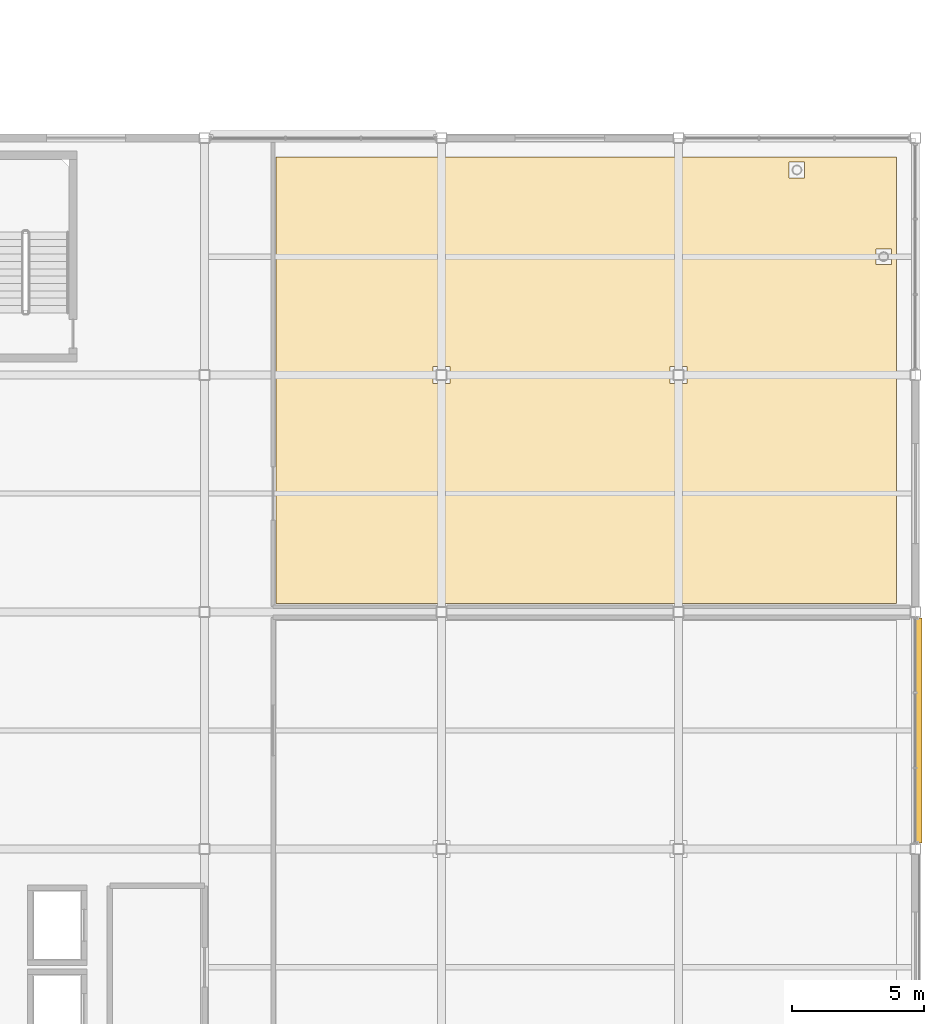
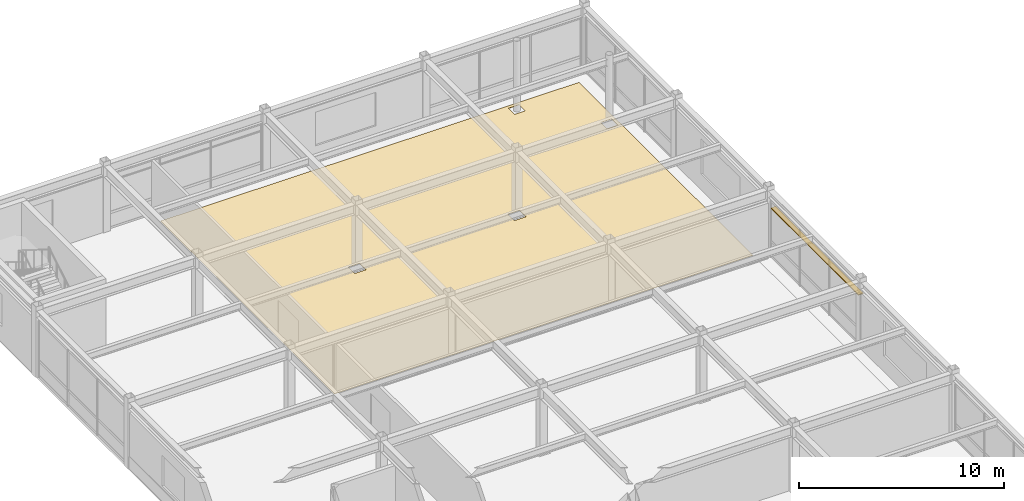
# One storey, part 70 of 70: 1 covering, 1 shading device.
"""IFC4 building model written with IfcOpenShell, lengths in metres."""

from ifc_helpers import new_model, si_unit, direction, frame, origin, origin_2d, place, context, subcontext, project, spatial, polyline, rectangle, outline, extrude, material, layer, layer_set, material_profile, profile_set, type_object, element, save


model = new_model("IFC4")

# Units and contexts
model_context = context("Model", 3, precision=1e-05, world=origin(), true_north=direction((0.0, 1.0)))
body_context = subcontext(model_context, "Body", "Model", "MODEL_VIEW")
ifc_project = project(units=[si_unit("LENGTHUNIT", "METRE"), si_unit("AREAUNIT", "SQUARE_METRE"), si_unit("VOLUMEUNIT", "CUBIC_METRE"), si_unit("PLANEANGLEUNIT", "RADIAN"), si_unit("MASSUNIT", "GRAM", prefix="KILO")], contexts=[model_context])

# Site, building, storey
site_placement = place(None, origin())
site = spatial("IfcSite", under=ifc_project, at=site_placement, CompositionType="ELEMENT")
building_placement = place(site_placement, origin())
building = spatial("IfcBuilding", under=site, at=building_placement, Name="Suzunagisa Mobility Hub", CompositionType="ELEMENT")
storey_placement = place(building_placement, frame((0.0, 0.0, 13.5)))
storey = spatial("IfcBuildingStorey", under=building, at=storey_placement, Name="L03", CompositionType="ELEMENT", Elevation=13.5)

# Covering
ifc_material_1 = material(Name="Polished Aggregate Terrazzo Finish")
ifc_layer = layer(ifc_material_1, 0.02001953125)
ifc_layer_set = layer_set([ifc_layer], Name="Polished Aggregate Terrazzo Finish")
covering_type = type_object("IfcCoveringType", Name="Polished Terrazzo Heavy-Traffic Flooring FLR-01", PredefinedType="FLOORING", material=ifc_layer_set)
covering_placement = place(storey_placement, origin())
element("IfcCovering", 1, at=covering_placement, inside=storey, type_object=covering_type, Name="L03 Mobility Data Analytics and Engineering Suite Terrazzo Flooring", PredefinedType="FLOORING", context=body_context, shape_type="SweptSolid", body=[
    extrude(outline(polyline([(179.280029296875, 97.280029296875), (179.280029296875, 80.320068359375), (171.320068359375, 80.320068359375), (170.679931640625, 80.320068359375), (162.320068359375, 80.320068359375), (161.679931640625, 80.320068359375), (155.719970703125, 80.320068359375), (155.719970703125, 97.280029296875), (179.280029296875, 97.280029296875)]), holes=[polyline([(162.320068359375, 88.679931640625), (162.320068359375, 89.320068359375), (161.679931640625, 89.320068359375), (161.679931640625, 88.679931640625), (162.320068359375, 88.679931640625)]), polyline([(170.679931640625, 89.320068359375), (170.679931640625, 88.679931640625), (171.320068359375, 88.679931640625), (171.320068359375, 89.320068359375), (170.679931640625, 89.320068359375)]), polyline([(175.7978515625, 97.092041015625), (175.2021484375, 97.092041015625), (175.2021484375, 96.496337890625), (175.7978515625, 96.496337890625), (175.7978515625, 97.092041015625)]), polyline([(179.092041015625, 93.2021484375), (179.092041015625, 93.7978515625), (178.496337890625, 93.7978515625), (178.496337890625, 93.2021484375), (179.092041015625, 93.2021484375)])]), origin(), (0.0, 0.0, 1.0), 0.02001953125),
])

# Shading device
ifc_material_2 = material(Name="Fluoropolymer-Coated Extruded Aluminum 6063-T5", Category="aluminium")
ifc_material_profile = material_profile(ifc_material_2, rectangle(XDim=0.280029296875, YDim=0.044921875, at=origin_2d()), Name="FIN-280x45")
ifc_profile_set = profile_set([ifc_material_profile], Name="Fluoropolymer-Coated Extruded Aluminum 6063-T5")
shading_device_type = type_object("IfcShadingDeviceType", Name="Streamline Aluminum Sunshade SF-02 FIN-280x45", PredefinedType="JALOUSIE", material=ifc_profile_set)
shading_device_placement = place(storey_placement, frame((180.107421875, 71.22998046875, 2.912109375), z_axis=(0.0, 1.0, 0.0), x_axis=(-1.0, 0.0, 0.0)))
element("IfcShadingDevice", 2, at=shading_device_placement, inside=storey, type_object=shading_device_type, Name="L03 Streamline Speed-Rail Sunshade Fin SF-46", PredefinedType="JALOUSIE", context=body_context, shape_type="SweptSolid", body=[
    extrude(rectangle(XDim=0.280029296875, YDim=0.044921875, at=origin_2d()), origin(), (0.0, 0.0, 1.0), 8.5400390625),
])

save(model, "model.ifc")
